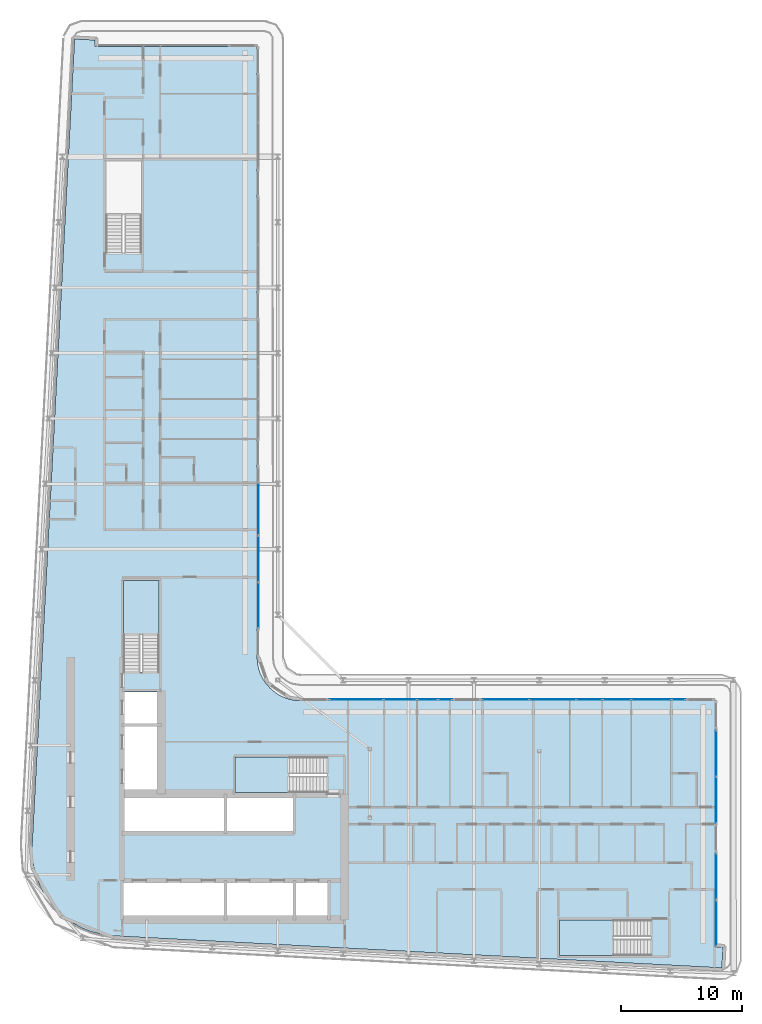
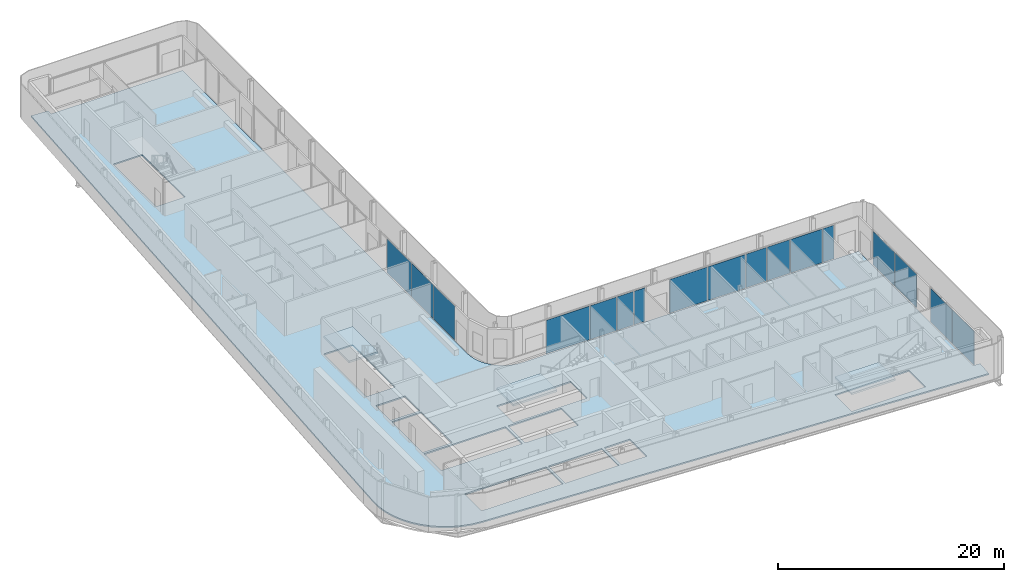
# One storey, part 8 of 23: 17 plates, 4 slabs, 11 elements without a shape of their own.
"""IFC4 building model written with IfcOpenShell, lengths in metres."""

import ifcopenshell
import ifcopenshell.guid

model = None  # the IFC model being written
_history = None  # IfcOwnerHistory: only IFC2X3 demands one
_inside = {}  # id of a spatial element -> (the spatial element, [elements in it])
_under = {}  # id of a project, library or spatial element -> (it, [spatial elements below it])
_declared = {}  # id of a project -> (the project, [libraries it declares])
_typed = {}  # id of a type object -> (the type object, [elements of that type])
_made_of = {}  # id of a material, layer set ... -> (it, [elements and type objects made of it])


def new_model(schema):
    """Start an empty IFC model of exactly this schema.

    Asked for "IFC4X3", IfcOpenShell would pick the latest addendum, in which some entities
    have other attributes; the version numbers below select the first issue.
    IFC2X3 requires an IfcOwnerHistory on every rooted entity: one is made here for all.
    """
    global model, _history
    if schema == "IFC4X3":
        model = ifcopenshell.file(schema_version=(4, 3, 0, 0))
    else:
        model = ifcopenshell.file(schema=schema)
    _inside.clear()
    _under.clear()
    _declared.clear()
    _typed.clear()
    _made_of.clear()
    _history = None
    if model.schema == "IFC2X3":
        org = make("IfcOrganization", Name="unknown")
        user = make(
            "IfcPersonAndOrganization",
            ThePerson=make("IfcPerson", FamilyName="unknown"),
            TheOrganization=org,
        )
        app = make(
            "IfcApplication",
            ApplicationDeveloper=org,
            Version="unknown",
            ApplicationFullName="unknown",
            ApplicationIdentifier="unknown",
        )
        _history = make(
            "IfcOwnerHistory",
            OwningUser=user,
            OwningApplication=app,
            ChangeAction="ADDED",
            CreationDate=0,
        )
    return model


def make(cls, **values):
    """One entity of the class cls with the attributes given. An attribute that is None is left unset."""
    return model.create_entity(
        cls, **{name: value for name, value in values.items() if value is not None}
    )


def rooted(cls, **values):
    """An entity with a GlobalId (a new one), such as an element, a storey or a relation."""
    return make(cls, GlobalId=ifcopenshell.guid.new(), OwnerHistory=_history, **values)


def si_unit(unit_type, name, prefix=None):
    """IfcSIUnit, for example si_unit("LENGTHUNIT", "METRE", prefix="MILLI")."""
    return make("IfcSIUnit", UnitType=unit_type, Prefix=prefix, Name=name)


def assignment(units):
    """IfcUnitAssignment: the units of a project."""
    return None if units is None else make("IfcUnitAssignment", Units=units)


def point(xyz):
    """IfcCartesianPoint."""
    return None if xyz is None else make("IfcCartesianPoint", Coordinates=xyz)


def direction(xyz):
    """IfcDirection."""
    return None if xyz is None else make("IfcDirection", DirectionRatios=xyz)


def frame(location, z_axis=None, x_axis=None):
    """IfcAxis2Placement3D, a coordinate frame: its origin and axes. An axis left out is left unset."""
    return make(
        "IfcAxis2Placement3D",
        Location=point(location),
        Axis=direction(z_axis),
        RefDirection=direction(x_axis),
    )


def frame_2d(location, x_axis=None):
    """IfcAxis2Placement2D, a coordinate frame in the plane: its origin and x axis."""
    return make(
        "IfcAxis2Placement2D", Location=point(location), RefDirection=direction(x_axis)
    )


def origin():
    """The frame at (0, 0, 0) with its axes left unset."""
    return frame((0.0, 0.0, 0.0))


def origin_2d():
    """The frame at (0, 0) in the plane with its x axis left unset."""
    return frame_2d((0.0, 0.0))


def place(relative_to, where):
    """IfcLocalPlacement: puts the frame where relative to a parent placement (None: the world)."""
    return make(
        "IfcLocalPlacement", PlacementRelTo=relative_to, RelativePlacement=where
    )


def context(
    kind, dimensions, precision=None, world=None, true_north=None, identifier=None
):
    """IfcGeometricRepresentationContext, for example the 3D "Model" context."""
    return make(
        "IfcGeometricRepresentationContext",
        ContextIdentifier=identifier,
        ContextType=kind,
        CoordinateSpaceDimension=dimensions,
        Precision=precision,
        WorldCoordinateSystem=world,
        TrueNorth=true_north,
    )


def subcontext(parent, identifier, kind, view, scale=None):
    """IfcGeometricRepresentationSubContext, for example "Body" below "Model"."""
    return make(
        "IfcGeometricRepresentationSubContext",
        ContextIdentifier=identifier,
        ContextType=kind,
        ParentContext=parent,
        TargetScale=scale,
        TargetView=view,
    )


def project(units=None, contexts=None):
    """IfcProject with its units and contexts."""
    return rooted(
        "IfcProject",
        Name="project",
        RepresentationContexts=contexts,
        UnitsInContext=assignment(units),
    )


def spatial(cls, under=None, at=None, **own):
    """A site, building, storey or space (cls), placed at a placement, below another one or the project."""
    s = rooted(cls, ObjectPlacement=at, **own)
    if under is not None:
        _under.setdefault(under.id(), (under, []))[1].append(s)
    return s


def polyline(points):
    """IfcPolyline through the points."""
    return make("IfcPolyline", Points=[point(p) for p in points])


def profile(cls, at=None, kind="AREA", **sizes):
    """A parametric profile (cls). Its sizes go by their IFC names, for example OverallWidth=200.0."""
    return make(cls, ProfileType=kind, Position=at, **sizes)


def rectangle(**sizes):
    """IfcRectangleProfileDef."""
    return profile("IfcRectangleProfileDef", **sizes)


def outline(outer, holes=None, kind="AREA"):
    """IfcArbitraryClosedProfileDef: a profile drawn as a closed curve; with holes, ...WithVoids."""
    if holes is None:
        return make("IfcArbitraryClosedProfileDef", ProfileType=kind, OuterCurve=outer)
    return make(
        "IfcArbitraryProfileDefWithVoids",
        ProfileType=kind,
        OuterCurve=outer,
        InnerCurves=holes,
    )


def extrude(swept, where, along, depth):
    """IfcExtrudedAreaSolid: the profile swept, set in the frame where, extruded along a direction by depth."""
    return make(
        "IfcExtrudedAreaSolid",
        SweptArea=swept,
        Position=where,
        ExtrudedDirection=direction(along),
        Depth=depth,
    )


def shape(context_of_items, identifier, shape_type, items):
    """IfcShapeRepresentation: the items that make up one representation, for example the "Body"."""
    return make(
        "IfcShapeRepresentation",
        ContextOfItems=context_of_items,
        RepresentationIdentifier=identifier,
        RepresentationType=shape_type,
        Items=items,
    )


def material(Name=None, Category=None):
    """IfcMaterial."""
    return make("IfcMaterial", Name=Name, Category=Category)


def layer(
    of_material, thickness, ventilated=None, Name=None, Category=None, Priority=None
):
    """IfcMaterialLayer: one layer of a wall or slab, of a material (None: an air gap)."""
    return make(
        "IfcMaterialLayer",
        Material=of_material,
        LayerThickness=thickness,
        IsVentilated=ventilated,
        Name=Name,
        Category=Category,
        Priority=Priority,
    )


def layer_set(layers, Name=None):
    """IfcMaterialLayerSet."""
    return make("IfcMaterialLayerSet", MaterialLayers=layers, LayerSetName=Name)


def made_of(thing, what):
    """Note that an element or type object is made of a material, layer set ...; save() writes the relation."""
    if what is not None:
        _made_of.setdefault(what.id(), (what, []))[1].append(thing)
    return thing


def type_object(cls, material=None, **own):
    """A type object (cls), such as IfcWallType, which elements share."""
    return made_of(rooted(cls, **own), material)


def element(
    cls,
    number,
    at=None,
    inside=None,
    cuts=None,
    type_object=None,
    material=None,
    context=None,
    identifier="Body",
    shape_type=None,
    held_by="IfcProductDefinitionShape",
    body=None,
    shapes=None,
    **own,
):
    """One element of the class cls, such as IfcWall. Its Tag is "e" and its number.

    at: its placement. inside: the storey or other place that contains it. cuts: it is an
    opening in that element (IfcRelVoidsElement). A single representation is given by context,
    identifier, shape_type and body (its items); several are given by shapes. held_by: the class
    of the entity that holds the representations. save() writes the other relations.
    """
    e = rooted(cls, Tag="e%d" % number, ObjectPlacement=at, **own)
    if body is not None:
        shapes = [shape(context, identifier, shape_type, body)]
    if shapes is not None:
        e.Representation = make(held_by, Representations=shapes)
    if inside is not None:
        _inside.setdefault(inside.id(), (inside, []))[1].append(e)
    if cuts is not None:
        rooted(
            "IfcRelVoidsElement", RelatingBuildingElement=cuts, RelatedOpeningElement=e
        )
    if type_object is not None:
        _typed.setdefault(type_object.id(), (type_object, []))[1].append(e)
    return made_of(e, material)


def aggregate(whole, parts):
    """IfcRelAggregates: a whole, such as a stair, and the parts it consists of."""
    return rooted("IfcRelAggregates", RelatingObject=whole, RelatedObjects=parts)


def save(model, path):
    """Write the relations noted so far, then the file.

    IfcRelAggregates (storeys below a building ...), IfcRelContainedInSpatialStructure (elements
    in a storey), IfcRelDefinesByType, IfcRelAssociatesMaterial and IfcRelDeclares: one each for
    every whole, place, type object, material and project.
    """
    for whole, parts in _under.values():
        aggregate(whole, parts)
    for where, things in _inside.values():
        rooted(
            "IfcRelContainedInSpatialStructure",
            RelatedElements=things,
            RelatingStructure=where,
        )
    for kind, things in _typed.values():
        rooted("IfcRelDefinesByType", RelatedObjects=things, RelatingType=kind)
    for what, things in _made_of.values():
        rooted("IfcRelAssociatesMaterial", RelatedObjects=things, RelatingMaterial=what)
    for by, libraries in _declared.values():
        rooted("IfcRelDeclares", RelatingContext=by, RelatedDefinitions=libraries)
    model.write(path)


model = new_model("IFC4")

# Units and contexts
model_context = context("Model", 3, precision=1e-05, world=origin(), true_north=direction((0.0, 1.0)))
body_context = subcontext(model_context, "Body", "Model", "MODEL_VIEW")
ifc_project = project(units=[si_unit("LENGTHUNIT", "METRE"), si_unit("AREAUNIT", "SQUARE_METRE"), si_unit("VOLUMEUNIT", "CUBIC_METRE"), si_unit("PLANEANGLEUNIT", "RADIAN"), si_unit("MASSUNIT", "GRAM", prefix="KILO")], contexts=[model_context])

# Site, building, storey
site_placement = place(None, origin())
site = spatial("IfcSite", under=ifc_project, at=site_placement, CompositionType="ELEMENT")
building_placement = place(site_placement, origin())
building = spatial("IfcBuilding", under=site, at=building_placement, Name="Kheshtan School and Residences Tower", CompositionType="ELEMENT")
storey_placement = place(building_placement, frame((0.0, 0.0, 243.5)))
storey = spatial("IfcBuildingStorey", under=building, at=storey_placement, Name="L57", CompositionType="ELEMENT", Elevation=243.5)

# Curtain wall, plate
ifc_material_1 = material(Name="Clear low-e glass in thermally broken aluminium frame", Category="aluminium")
ifc_layer_1 = layer(ifc_material_1, 0.199951171875)
ifc_layer_set_1 = layer_set([ifc_layer_1], Name="Curtain wall CW-L")
curtain_wall_type = type_object("IfcCurtainWallType", Name="Curtain wall CW-L", PredefinedType="NOTDEFINED", material=ifc_layer_set_1)
curtain_wall_1_placement = place(storey_placement, origin())
curtain_wall_1 = element("IfcCurtainWall", 1, at=curtain_wall_1_placement, inside=storey, type_object=curtain_wall_type, Name="Curtain wall CWL8l", PredefinedType="NOTDEFINED")
ifc_layer_2 = layer(ifc_material_1, 0.031982421875)
ifc_layer_set_2 = layer_set([ifc_layer_2], Name="CW-L glass panel")
plate_type = type_object("IfcPlateType", Name="CW-L glass panel", PredefinedType="CURTAIN_PANEL", material=ifc_layer_set_2)
plate_1_placement = place(storey_placement, frame((46.0, 59.72705078125, 0.0), z_axis=(0.0, 0.0, 1.0), x_axis=(0.0, -1.0, 0.0)))
plate_1 = element("IfcPlate", 2, at=plate_1_placement, type_object=plate_type, Name="CWL8l panel 2.1", PredefinedType="CURTAIN_PANEL", context=body_context, shape_type="SweptSolid", body=[
    extrude(rectangle(XDim=4.285888671875, YDim=0.031982421875, at=origin_2d()), origin(), (0.0, 0.0, 1.0), 3.6298828125),
])
aggregate(curtain_wall_1, [plate_1])

# Curtain wall, plates
curtain_wall_2_placement = place(storey_placement, origin())
curtain_wall_2 = element("IfcCurtainWall", 3, at=curtain_wall_2_placement, inside=storey, type_object=curtain_wall_type, Name="Curtain wall CWL8", PredefinedType="NOTDEFINED")
plate_2_placement = place(storey_placement, frame((46.0, 55.615478515625, 0.0), z_axis=(0.0, 0.0, 1.0), x_axis=(0.0, -1.0, 0.0)))
plate_2 = element("IfcPlate", 4, at=plate_2_placement, type_object=plate_type, Name="CWL8 panel 1.1", PredefinedType="CURTAIN_PANEL", context=body_context, shape_type="SweptSolid", body=[
    extrude(rectangle(XDim=3.81689453125, YDim=0.031982421875, at=origin_2d()), origin(), (0.0, 0.0, 1.0), 3.6298828125),
])
plate_3_placement = place(storey_placement, frame((46.0, 51.7685546875, 0.0), z_axis=(0.0, 0.0, 1.0), x_axis=(0.0, -1.0, 0.0)))
plate_3 = element("IfcPlate", 5, at=plate_3_placement, type_object=plate_type, Name="CWL8 panel 2.1", PredefinedType="CURTAIN_PANEL", context=body_context, shape_type="SweptSolid", body=[
    extrude(rectangle(XDim=3.757080078125, YDim=0.031982421875, at=origin_2d()), origin(), (0.0, 0.0, 1.0), 3.6298828125),
])
aggregate(curtain_wall_2, [plate_2, plate_3])

curtain_wall_3_placement = place(storey_placement, origin())
curtain_wall_3 = element("IfcCurtainWall", 6, at=curtain_wall_3_placement, inside=storey, type_object=curtain_wall_type, Name="Curtain wall CWL1228", PredefinedType="NOTDEFINED")
plate_4_placement = place(storey_placement, frame((54.100830078125, 44.0, 0.0), z_axis=(0.0, 0.0, 1.0), x_axis=(1.0, 0.0, 0.0)))
plate_4 = element("IfcPlate", 7, at=plate_4_placement, type_object=plate_type, Name="CWL1228 panel 1.1", PredefinedType="CURTAIN_PANEL", context=body_context, shape_type="SweptSolid", body=[
    extrude(rectangle(XDim=4.421630859375, YDim=0.031982421875, at=origin_2d()), origin(), (0.0, 0.0, 1.0), 3.6298828125),
])
plate_5_placement = place(storey_placement, frame((57.720947265625, 44.0, 0.0), z_axis=(0.0, 0.0, 1.0), x_axis=(1.0, 0.0, 0.0)))
plate_5 = element("IfcPlate", 8, at=plate_5_placement, type_object=plate_type, Name="CWL1228 panel 2.1", PredefinedType="CURTAIN_PANEL", context=body_context, shape_type="SweptSolid", body=[
    extrude(rectangle(XDim=2.6982421875, YDim=0.031982421875, at=origin_2d()), origin(), (0.0, 0.0, 1.0), 3.6298828125),
])
plate_6_placement = place(storey_placement, frame((59.961669921875, 44.0, 0.0), z_axis=(0.0, 0.0, 1.0), x_axis=(1.0, 0.0, 0.0)))
plate_6 = element("IfcPlate", 9, at=plate_6_placement, type_object=plate_type, Name="CWL1228 panel 3.1", PredefinedType="CURTAIN_PANEL", context=body_context, shape_type="SweptSolid", body=[
    extrude(rectangle(XDim=1.663330078125, YDim=0.031982421875, at=origin_2d()), origin(), (0.0, 0.0, 1.0), 3.6298828125),
])
aggregate(curtain_wall_3, [plate_4, plate_5, plate_6])

# Curtain wall, plate
curtain_wall_4_placement = place(storey_placement, origin())
curtain_wall_4 = element("IfcCurtainWall", 10, at=curtain_wall_4_placement, inside=storey, type_object=curtain_wall_type, Name="Curtain wall CWL12b", PredefinedType="NOTDEFINED")
plate_7_placement = place(storey_placement, frame((61.42333984375, 44.0, 0.0), z_axis=(0.0, 0.0, 1.0), x_axis=(1.0, 0.0, 0.0)))
plate_7 = element("IfcPlate", 11, at=plate_7_placement, type_object=plate_type, Name="CWL12b panel 1.1", PredefinedType="CURTAIN_PANEL", context=body_context, shape_type="SweptSolid", body=[
    extrude(rectangle(XDim=1.139892578125, YDim=0.031982421875, at=origin_2d()), origin(), (0.0, 0.0, 1.0), 3.6298828125),
])
aggregate(curtain_wall_4, [plate_7])

# Curtain wall, plates
curtain_wall_5_placement = place(storey_placement, origin())
curtain_wall_5 = element("IfcCurtainWall", 12, at=curtain_wall_5_placement, inside=storey, type_object=curtain_wall_type, Name="Curtain wall CWL1229", PredefinedType="NOTDEFINED")
plate_8_placement = place(storey_placement, frame((66.424072265625, 44.0, 0.0), z_axis=(0.0, 0.0, 1.0), x_axis=(1.0, 0.0, 0.0)))
plate_8 = element("IfcPlate", 13, at=plate_8_placement, type_object=plate_type, Name="CWL1229 panel 1.1", PredefinedType="CURTAIN_PANEL", context=body_context, shape_type="SweptSolid", body=[
    extrude(rectangle(XDim=3.82177734375, YDim=0.031982421875, at=origin_2d()), origin(), (0.0, 0.0, 1.0), 3.6298828125),
])
plate_9_placement = place(storey_placement, frame((70.305908203125, 44.0, 0.0), z_axis=(0.0, 0.0, 1.0), x_axis=(1.0, 0.0, 0.0)))
plate_9 = element("IfcPlate", 14, at=plate_9_placement, type_object=plate_type, Name="CWL1229 panel 2.1", PredefinedType="CURTAIN_PANEL", context=body_context, shape_type="SweptSolid", body=[
    extrude(rectangle(XDim=3.82177734375, YDim=0.031982421875, at=origin_2d()), origin(), (0.0, 0.0, 1.0), 3.6298828125),
])
aggregate(curtain_wall_5, [plate_8, plate_9])

curtain_wall_6_placement = place(storey_placement, origin())
curtain_wall_6 = element("IfcCurtainWall", 15, at=curtain_wall_6_placement, inside=storey, type_object=curtain_wall_type, Name="Curtain wall CWL1230", PredefinedType="NOTDEFINED")
plate_10_placement = place(storey_placement, frame((73.3232421875, 44.0, 0.0), z_axis=(0.0, 0.0, 1.0), x_axis=(1.0, 0.0, 0.0)))
plate_10 = element("IfcPlate", 16, at=plate_10_placement, type_object=plate_type, Name="CWL1230 panel 1.1", PredefinedType="CURTAIN_PANEL", context=body_context, shape_type="SweptSolid", body=[
    extrude(rectangle(XDim=2.09326171875, YDim=0.031982421875, at=origin_2d()), origin(), (0.0, 0.0, 1.0), 3.6298828125),
])
plate_11_placement = place(storey_placement, frame((75.59423828125, 44.0, 0.0), z_axis=(0.0, 0.0, 1.0), x_axis=(1.0, 0.0, 0.0)))
plate_11 = element("IfcPlate", 17, at=plate_11_placement, type_object=plate_type, Name="CWL1230 panel 2.1", PredefinedType="CURTAIN_PANEL", context=body_context, shape_type="SweptSolid", body=[
    extrude(rectangle(XDim=2.328369140625, YDim=0.031982421875, at=origin_2d()), origin(), (0.0, 0.0, 1.0), 3.6298828125),
])
plate_12_placement = place(storey_placement, frame((78.444091796875, 44.0, 0.0), z_axis=(0.0, 0.0, 1.0), x_axis=(1.0, 0.0, 0.0)))
plate_12 = element("IfcPlate", 18, at=plate_12_placement, type_object=plate_type, Name="CWL1230 panel 3.1", PredefinedType="CURTAIN_PANEL", context=body_context, shape_type="SweptSolid", body=[
    extrude(rectangle(XDim=3.251708984375, YDim=0.031982421875, at=origin_2d()), origin(), (0.0, 0.0, 1.0), 3.6298828125),
])
plate_13_placement = place(storey_placement, frame((80.68505859375, 44.0, 0.0), z_axis=(0.0, 0.0, 1.0), x_axis=(1.0, 0.0, 0.0)))
plate_13 = element("IfcPlate", 19, at=plate_13_placement, type_object=plate_type, Name="CWL1230 panel 4.1", PredefinedType="CURTAIN_PANEL", context=body_context, shape_type="SweptSolid", body=[
    extrude(rectangle(XDim=1.110107421875, YDim=0.031982421875, at=origin_2d()), origin(), (0.0, 0.0, 1.0), 3.6298828125),
])
aggregate(curtain_wall_6, [plate_10, plate_11, plate_12, plate_13])

curtain_wall_7_placement = place(storey_placement, origin())
curtain_wall_7 = element("IfcCurtainWall", 20, at=curtain_wall_7_placement, inside=storey, type_object=curtain_wall_type, Name="Curtain wall CWL13c", PredefinedType="NOTDEFINED")
plate_14_placement = place(storey_placement, frame((83.800048828125, 39.54345703125, 0.0), z_axis=(0.0, 0.0, 1.0), x_axis=(0.0, -1.0, 0.0)))
plate_14 = element("IfcPlate", 21, at=plate_14_placement, type_object=plate_type, Name="CWL13c panel 1.1", PredefinedType="CURTAIN_PANEL", context=body_context, shape_type="SweptSolid", body=[
    extrude(rectangle(XDim=3.793212890625, YDim=0.031982421875, at=origin_2d()), origin(), (0.0, 0.0, 1.0), 3.6298828125),
])
plate_15_placement = place(storey_placement, frame((83.800048828125, 35.690185546875, 0.0), z_axis=(0.0, 0.0, 1.0), x_axis=(0.0, -1.0, 0.0)))
plate_15 = element("IfcPlate", 22, at=plate_15_placement, type_object=plate_type, Name="CWL13c panel 2.1", PredefinedType="CURTAIN_PANEL", context=body_context, shape_type="SweptSolid", body=[
    extrude(rectangle(XDim=3.793212890625, YDim=0.031982421875, at=origin_2d()), origin(), (0.0, 0.0, 1.0), 3.6298828125),
])
aggregate(curtain_wall_7, [plate_14, plate_15])

curtain_wall_8_placement = place(storey_placement, origin())
curtain_wall_8 = element("IfcCurtainWall", 23, at=curtain_wall_8_placement, inside=storey, type_object=curtain_wall_type, Name="Curtain wall CWL13c", PredefinedType="NOTDEFINED")
plate_16_placement = place(storey_placement, frame((83.800048828125, 29.376953125, 0.0), z_axis=(0.0, 0.0, 1.0), x_axis=(0.0, -1.0, 0.0)))
plate_16 = element("IfcPlate", 24, at=plate_16_placement, type_object=plate_type, Name="CWL13c panel 1.1", PredefinedType="CURTAIN_PANEL", context=body_context, shape_type="SweptSolid", body=[
    extrude(rectangle(XDim=3.793212890625, YDim=0.031982421875, at=origin_2d()), origin(), (0.0, 0.0, 1.0), 3.6298828125),
])
plate_17_placement = place(storey_placement, frame((83.800048828125, 25.523681640625, 0.0), z_axis=(0.0, 0.0, 1.0), x_axis=(0.0, -1.0, 0.0)))
plate_17 = element("IfcPlate", 25, at=plate_17_placement, type_object=plate_type, Name="CWL13c panel 2.1", PredefinedType="CURTAIN_PANEL", context=body_context, shape_type="SweptSolid", body=[
    extrude(rectangle(XDim=3.793212890625, YDim=0.031982421875, at=origin_2d()), origin(), (0.0, 0.0, 1.0), 3.6298828125),
])
aggregate(curtain_wall_8, [plate_16, plate_17])

# Slab
ifc_material_2 = material(Name="Concrete C40/50", Category="concrete")
ifc_layer_3 = layer(ifc_material_2, 0.14990234375)
ifc_layer_set_3 = layer_set([ifc_layer_3], Name="Floor slab 150 Concrete C40/50")
slab_type_1 = type_object("IfcSlabType", Name="Floor slab 150 Concrete C40/50", PredefinedType="FLOOR", material=ifc_layer_set_3)
slab_1_placement = place(storey_placement, frame((0.0, 0.0, -0.14990234375)))
element("IfcSlab", 26, at=slab_1_placement, inside=storey, type_object=slab_type_1, Name="Floor slab L57", PredefinedType="FLOOR", context=body_context, shape_type="SweptSolid", body=[
    extrude(outline(polyline([(28.0849609375, 28.345947265625), (27.718017578125, 29.200927734375), (27.466064453125, 30.093017578125), (27.466064453125, 30.093994140625), (27.3330078125, 31.013916015625), (27.320068359375, 31.965087890625), (27.320068359375, 31.970947265625), (30.822021484375, 98.5009765625), (30.822998046875, 98.508056640625), (30.825927734375, 98.531005859375), (30.825927734375, 98.531982421875), (30.826904296875, 98.531982421875), (31.422119140625, 98.5), (31.423095703125, 98.5), (31.423095703125, 98.4990234375), (31.423095703125, 98.4951171875), (31.423095703125, 98.493896484375), (31.424072265625, 98.493896484375), (31.424072265625, 98.492919921875), (31.425048828125, 98.492919921875), (31.426025390625, 98.492919921875), (31.426025390625, 98.493896484375), (31.427978515625, 98.49609375), (31.428955078125, 98.4970703125), (31.429931640625, 98.498046875), (31.430908203125, 98.498046875), (31.430908203125, 98.4990234375), (31.431884765625, 98.4990234375), (31.431884765625, 98.5), (31.43505859375, 98.5009765625), (31.43603515625, 98.501953125), (31.43896484375, 98.501953125), (31.43994140625, 98.501953125), (31.43994140625, 98.5029296875), (31.44091796875, 98.5029296875), (31.446044921875, 98.5029296875), (32.5009765625, 98.447021484375), (32.50390625, 98.447021484375), (32.5048828125, 98.447021484375), (32.5048828125, 98.446044921875), (32.506103515625, 98.446044921875), (32.510009765625, 98.446044921875), (32.510009765625, 98.445068359375), (32.510986328125, 98.445068359375), (32.510986328125, 98.444091796875), (32.511962890625, 98.444091796875), (32.511962890625, 98.443115234375), (32.512939453125, 98.443115234375), (32.513916015625, 98.443115234375), (32.513916015625, 98.44189453125), (32.514892578125, 98.44189453125), (32.51611328125, 98.44189453125), (32.51904296875, 98.43896484375), (32.51904296875, 98.43798828125), (32.51904296875, 98.43701171875), (32.52001953125, 98.43701171875), (32.52001953125, 98.43603515625), (32.52099609375, 98.43603515625), (32.52099609375, 98.43408203125), (32.52099609375, 98.43310546875), (32.52197265625, 98.43310546875), (32.52197265625, 98.431884765625), (32.52294921875, 98.431884765625), (32.52294921875, 98.430908203125), (32.52294921875, 98.428955078125), (32.52294921875, 98.427978515625), (32.52392578125, 98.427978515625), (32.52392578125, 98.427001953125), (32.52392578125, 98.422119140625), (32.4970703125, 97.9208984375), (32.4970703125, 97.91796875), (32.4970703125, 97.9169921875), (32.49609375, 97.9169921875), (32.49609375, 97.916015625), (32.49609375, 97.912109375), (32.4951171875, 97.910888671875), (32.4951171875, 97.909912109375), (32.493896484375, 97.909912109375), (32.493896484375, 97.908935546875), (32.492919921875, 97.908935546875), (32.492919921875, 97.907958984375), (32.489013671875, 97.904052734375), (32.488037109375, 97.904052734375), (32.488037109375, 97.903076171875), (32.488037109375, 97.902099609375), (32.488037109375, 97.90087890625), (32.489013671875, 97.90087890625), (32.489013671875, 97.89990234375), (32.489990234375, 97.89990234375), (45.85498046875, 97.89990234375), (45.864990234375, 97.89794921875), (45.865966796875, 97.89794921875), (45.868896484375, 97.89599609375), (45.8740234375, 97.89404296875), (45.8779296875, 97.89208984375), (45.881103515625, 97.889892578125), (45.881103515625, 97.888916015625), (45.882080078125, 97.888916015625), (45.882080078125, 97.887939453125), (45.883056640625, 97.887939453125), (45.884033203125, 97.885009765625), (45.885009765625, 97.885009765625), (45.885009765625, 97.884033203125), (45.887939453125, 97.883056640625), (45.887939453125, 97.882080078125), (45.888916015625, 97.882080078125), (45.888916015625, 97.881103515625), (45.889892578125, 97.881103515625), (45.89208984375, 97.8779296875), (45.89404296875, 97.8740234375), (45.89599609375, 97.868896484375), (45.89794921875, 97.865966796875), (45.89794921875, 97.864990234375), (45.89990234375, 97.85498046875), (45.89990234375, 47.429931640625), (45.927001953125, 47.030029296875), (46.01806640625, 46.570068359375), (46.01806640625, 46.569091796875), (46.169921875, 46.1201171875), (46.37890625, 45.697021484375), (46.638916015625, 45.30810546875), (46.949951171875, 44.950927734375), (46.950927734375, 44.949951171875), (47.30810546875, 44.638916015625), (47.697021484375, 44.37890625), (48.1201171875, 44.169921875), (48.569091796875, 44.01806640625), (48.570068359375, 44.01806640625), (49.030029296875, 43.927001953125), (49.429931640625, 43.89990234375), (83.655029296875, 43.89990234375), (83.659912109375, 43.89892578125), (83.6650390625, 43.89794921875), (83.666015625, 43.89794921875), (83.6689453125, 43.89599609375), (83.674072265625, 43.89404296875), (83.677978515625, 43.89208984375), (83.680908203125, 43.889892578125), (83.680908203125, 43.888916015625), (83.681884765625, 43.888916015625), (83.681884765625, 43.887939453125), (83.68310546875, 43.887939453125), (83.68408203125, 43.885009765625), (83.68505859375, 43.885009765625), (83.68505859375, 43.884033203125), (83.68798828125, 43.883056640625), (83.68798828125, 43.882080078125), (83.68896484375, 43.882080078125), (83.68896484375, 43.881103515625), (83.68994140625, 43.881103515625), (83.69189453125, 43.8779296875), (83.694091796875, 43.8740234375), (83.696044921875, 43.868896484375), (83.697998046875, 43.865966796875), (83.697998046875, 43.864990234375), (83.699951171875, 43.85498046875), (83.699951171875, 23.56201171875), (83.699951171875, 23.56103515625), (83.700927734375, 23.56103515625), (83.700927734375, 23.56005859375), (83.701904296875, 23.56005859375), (83.702880859375, 23.56005859375), (83.702880859375, 23.56103515625), (83.705078125, 23.56298828125), (83.7060546875, 23.56396484375), (83.70703125, 23.56494140625), (83.7080078125, 23.56494140625), (83.7080078125, 23.56591796875), (83.708984375, 23.56591796875), (83.708984375, 23.56689453125), (83.7099609375, 23.56689453125), (83.712890625, 23.569091796875), (83.716064453125, 23.569091796875), (83.717041015625, 23.569091796875), (83.717041015625, 23.570068359375), (83.718017578125, 23.570068359375), (83.722900390625, 23.570068359375), (84.337890625, 23.537109375), (84.341064453125, 23.537109375), (84.342041015625, 23.537109375), (84.342041015625, 23.535888671875), (84.343017578125, 23.535888671875), (84.346923828125, 23.535888671875), (84.346923828125, 23.534912109375), (84.347900390625, 23.534912109375), (84.347900390625, 23.533935546875), (84.34912109375, 23.533935546875), (84.34912109375, 23.532958984375), (84.35009765625, 23.532958984375), (84.35107421875, 23.532958984375), (84.35107421875, 23.531982421875), (84.35205078125, 23.531982421875), (84.35302734375, 23.531982421875), (84.35302734375, 23.531005859375), (84.35498046875, 23.529052734375), (84.35595703125, 23.529052734375), (84.35595703125, 23.528076171875), (84.35595703125, 23.527099609375), (84.35693359375, 23.527099609375), (84.35693359375, 23.52587890625), (84.35791015625, 23.52587890625), (84.35791015625, 23.52490234375), (84.35791015625, 23.52392578125), (84.35791015625, 23.52294921875), (84.35888671875, 23.52294921875), (84.35888671875, 23.52197265625), (84.360107421875, 23.52197265625), (84.360107421875, 23.52099609375), (84.360107421875, 23.51904296875), (84.360107421875, 23.51806640625), (84.361083984375, 23.51806640625), (84.361083984375, 23.51708984375), (84.361083984375, 23.511962890625), (84.304931640625, 22.455078125), (84.304931640625, 22.451904296875), (84.304931640625, 22.450927734375), (84.303955078125, 22.450927734375), (84.303955078125, 22.449951171875), (84.303955078125, 22.446044921875), (84.302978515625, 22.445068359375), (84.302978515625, 22.444091796875), (84.302001953125, 22.444091796875), (84.302001953125, 22.443115234375), (84.301025390625, 22.443115234375), (84.301025390625, 22.44189453125), (84.300048828125, 22.44091796875), (84.298095703125, 22.43896484375), (84.297119140625, 22.43798828125), (84.2958984375, 22.43798828125), (84.2958984375, 22.43701171875), (84.2958984375, 22.43603515625), (84.2958984375, 22.43505859375), (84.297119140625, 22.43505859375), (84.297119140625, 22.43408203125), (84.298095703125, 22.43408203125), (84.299072265625, 22.43408203125), (84.300048828125, 22.43408203125), (84.300048828125, 22.43310546875), (84.26806640625, 21.837890625), (84.26806640625, 21.8369140625), (84.26708984375, 21.8369140625), (84.242919921875, 21.8359375), (84.238037109375, 21.8359375), (34.056884765625, 24.47802734375), (33.114990234375, 24.590087890625), (32.215087890625, 24.819091796875), (32.214111328125, 24.819091796875), (31.35205078125, 25.1630859375), (30.541015625, 25.616943359375), (29.799072265625, 26.1708984375), (29.799072265625, 26.172119140625), (29.798095703125, 26.172119140625), (29.134033203125, 26.820068359375), (29.134033203125, 26.821044921875), (29.133056640625, 26.821044921875), (28.55908203125, 27.550048828125), (28.0849609375, 28.345947265625)]), holes=[polyline([(83.699951171875, 22.44091796875), (83.699951171875, 22.43994140625), (83.699951171875, 22.43603515625), (83.699951171875, 22.43505859375), (83.700927734375, 22.43505859375), (83.700927734375, 22.43408203125), (83.701904296875, 22.43408203125), (83.7060546875, 22.43408203125), (83.70703125, 22.43408203125), (83.70703125, 22.43505859375), (83.7080078125, 22.43505859375), (83.7080078125, 22.43603515625), (83.7080078125, 22.43701171875), (83.70703125, 22.43701171875), (83.7060546875, 22.43798828125), (83.7041015625, 22.43994140625), (83.702880859375, 22.44091796875), (83.702880859375, 22.44189453125), (83.701904296875, 22.44189453125), (83.700927734375, 22.44189453125), (83.700927734375, 22.44091796875), (83.699951171875, 22.44091796875)]), polyline([(31.423095703125, 97.906982421875), (31.423095703125, 97.906005859375), (31.423095703125, 97.902099609375), (31.423095703125, 97.90087890625), (31.424072265625, 97.90087890625), (31.424072265625, 97.89990234375), (31.425048828125, 97.89990234375), (31.428955078125, 97.89990234375), (31.429931640625, 97.89990234375), (31.429931640625, 97.90087890625), (31.430908203125, 97.90087890625), (31.430908203125, 97.902099609375), (31.430908203125, 97.903076171875), (31.429931640625, 97.903076171875), (31.428955078125, 97.904052734375), (31.427978515625, 97.905029296875), (31.427001953125, 97.906005859375), (31.426025390625, 97.906982421875), (31.426025390625, 97.907958984375), (31.425048828125, 97.907958984375), (31.424072265625, 97.907958984375), (31.424072265625, 97.906982421875), (31.423095703125, 97.906982421875)]), polyline([(43.175048828125, 28.925048828125), (34.875, 28.925048828125), (34.875, 25.925048828125), (43.175048828125, 25.925048828125), (43.175048828125, 28.925048828125)]), polyline([(43.175048828125, 36.074951171875), (34.875, 36.074951171875), (34.875, 33.074951171875), (43.175048828125, 33.074951171875), (43.175048828125, 36.074951171875)]), polyline([(34.875, 41.77490234375), (34.875, 36.324951171875), (37.875, 36.324951171875), (37.875, 41.77490234375), (34.875, 41.77490234375)]), polyline([(37.875, 44.625), (34.875, 44.625), (34.875, 42.02490234375), (37.875, 42.02490234375), (37.875, 44.625)]), polyline([(36.25, 46.25), (37.800048828125, 46.25), (37.800048828125, 53.81005859375), (34.85009765625, 53.81005859375), (34.85009765625, 46.260009765625), (36.25, 46.260009765625), (36.25, 46.25)]), polyline([(33.39990234375, 88.4599609375), (33.39990234375, 80.909912109375), (34.800048828125, 80.909912109375), (34.800048828125, 80.89990234375), (36.35009765625, 80.89990234375), (36.35009765625, 88.4599609375), (33.39990234375, 88.4599609375)]), polyline([(70.85009765625, 25.800048828125), (70.85009765625, 22.85009765625), (78.39990234375, 22.85009765625), (78.39990234375, 24.25), (78.409912109375, 24.25), (78.409912109375, 25.800048828125), (70.85009765625, 25.800048828125)]), polyline([(43.425048828125, 28.925048828125), (43.425048828125, 25.925048828125), (48.875, 25.925048828125), (48.875, 28.925048828125), (43.425048828125, 28.925048828125)]), polyline([(49.125, 28.925048828125), (49.125, 25.925048828125), (51.72509765625, 25.925048828125), (51.72509765625, 28.925048828125), (49.125, 28.925048828125)]), polyline([(43.425048828125, 36.074951171875), (43.425048828125, 33.074951171875), (48.875, 33.074951171875), (48.875, 36.074951171875), (43.425048828125, 36.074951171875)]), polyline([(51.64990234375, 37.699951171875), (51.64990234375, 39.25), (44.090087890625, 39.25), (44.090087890625, 36.300048828125), (51.639892578125, 36.300048828125), (51.639892578125, 37.699951171875), (51.64990234375, 37.699951171875)])]), origin(), (0.0, 0.0, 1.0), 0.14990234375),
])

# Stair, slab
stair_type = type_object("IfcStairType", Name="Exit stair, half-turn", PredefinedType="HALF_TURN_STAIR", material=ifc_material_2)
stair_1_placement = place(storey_placement, origin())
stair_1 = element("IfcStair", 27, at=stair_1_placement, inside=storey, type_object=stair_type, Name="L57 Protected Exit Stair ST1", PredefinedType="HALF_TURN_STAIR")
ifc_layer_4 = layer(ifc_material_2, 0.199951171875)
ifc_layer_set_4 = layer_set([ifc_layer_4], Name="Stair landing 200 Concrete C40/50")
slab_type_2 = type_object("IfcSlabType", Name="Stair landing 200 Concrete C40/50", PredefinedType="LANDING", material=ifc_layer_set_4)
slab_2_placement = place(storey_placement, frame((0.0, 0.0, 1.75)))
slab_2 = element("IfcSlab", 28, at=slab_2_placement, type_object=slab_type_2, Name="ST1 landing 1", PredefinedType="LANDING", context=body_context, shape_type="SweptSolid", body=[
    extrude(outline(polyline([(48.570068359375, 39.25), (44.090087890625, 39.25), (44.090087890625, 36.300048828125), (48.570068359375, 36.300048828125), (48.570068359375, 39.25)])), origin(), (0.0, 0.0, 1.0), 0.199951171875),
])
aggregate(stair_1, [slab_2])

stair_2_placement = place(storey_placement, origin())
stair_2 = element("IfcStair", 29, at=stair_2_placement, inside=storey, type_object=stair_type, Name="L57 Protected Exit Stair ST2", PredefinedType="HALF_TURN_STAIR")
slab_3_placement = place(storey_placement, frame((0.0, 0.0, 1.75)))
slab_3 = element("IfcSlab", 30, at=slab_3_placement, type_object=slab_type_2, Name="ST2 landing 1", PredefinedType="LANDING", context=body_context, shape_type="SweptSolid", body=[
    extrude(outline(polyline([(37.800048828125, 49.330078125), (37.800048828125, 53.81005859375), (34.85009765625, 53.81005859375), (34.85009765625, 49.330078125), (37.800048828125, 49.330078125)])), origin(), (0.0, 0.0, 1.0), 0.199951171875),
])
aggregate(stair_2, [slab_3])

stair_3_placement = place(storey_placement, origin())
stair_3 = element("IfcStair", 31, at=stair_3_placement, inside=storey, type_object=stair_type, Name="L57 Protected Exit Stair ST5", PredefinedType="HALF_TURN_STAIR")
slab_4_placement = place(storey_placement, frame((0.0, 0.0, 1.75)))
slab_4 = element("IfcSlab", 32, at=slab_4_placement, type_object=slab_type_2, Name="ST5 landing 1", PredefinedType="LANDING", context=body_context, shape_type="SweptSolid", body=[
    extrude(outline(polyline([(75.330078125, 25.800048828125), (70.85009765625, 25.800048828125), (70.85009765625, 22.85009765625), (75.330078125, 22.85009765625), (75.330078125, 25.800048828125)])), origin(), (0.0, 0.0, 1.0), 0.199951171875),
])
aggregate(stair_3, [slab_4])

save(model, "model.ifc")
